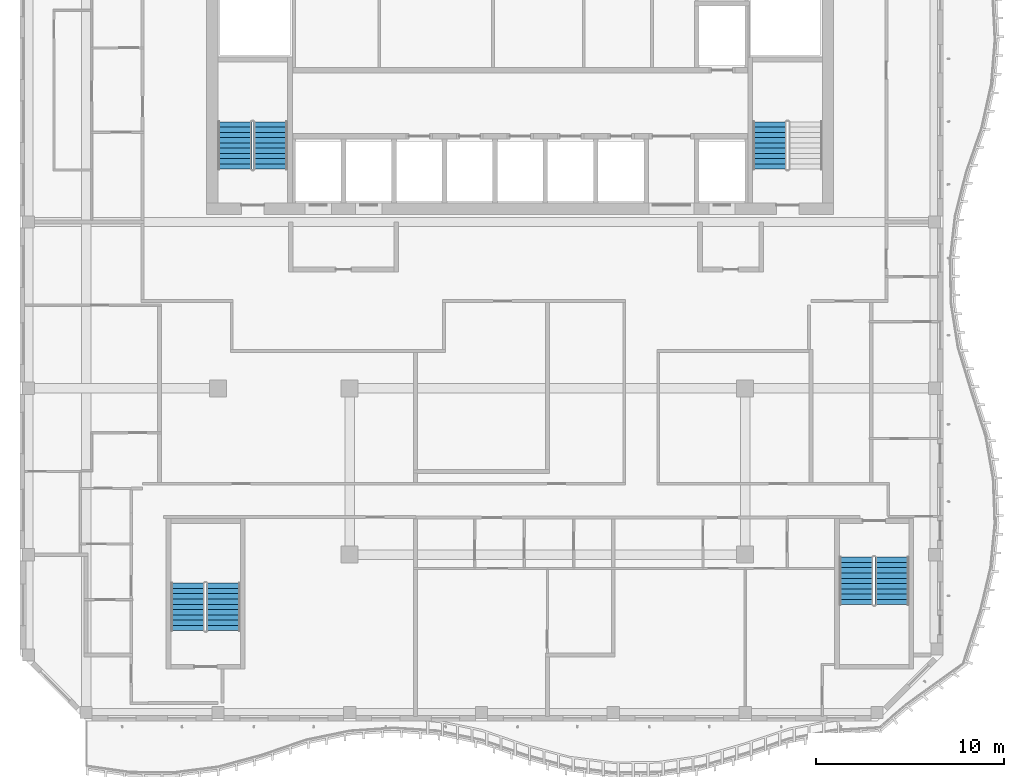
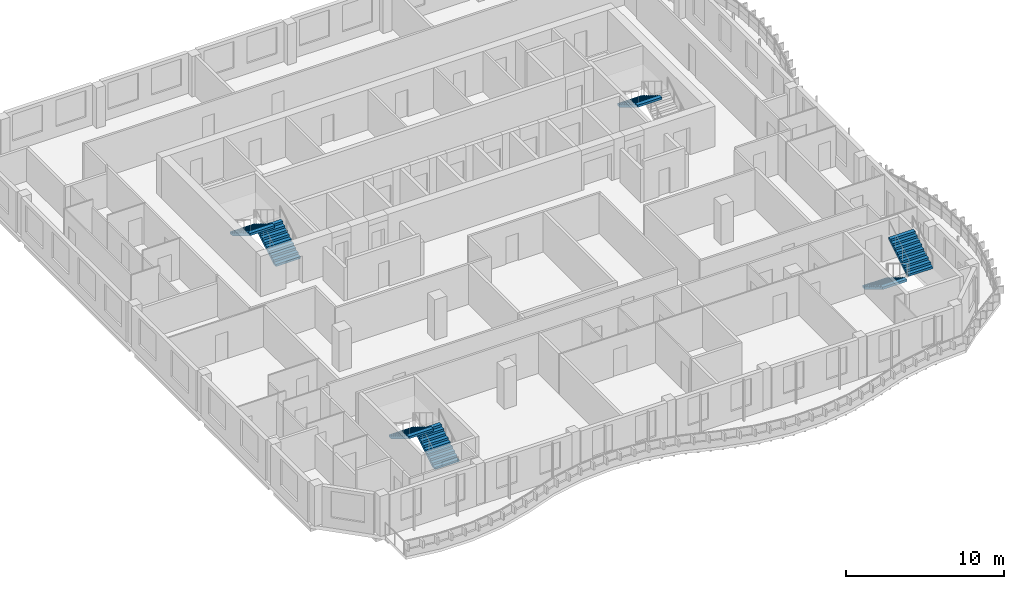
# One storey, part 10 of 17: 7 stair flights, 4 elements without a shape of their own.
"""IFC4 building model written with IfcOpenShell, lengths in metres."""

from ifc_helpers import new_model, si_unit, direction, frame, origin, place, context, subcontext, project, spatial, triangles, source, transform, mapped, material, type_object, element, aggregate, save


model = new_model("IFC4")

# Units and contexts
model_context = context("Model", 3, precision=1e-05, world=origin(), true_north=direction((0.0, 1.0)))
body_context = subcontext(model_context, "Body", "Model", "MODEL_VIEW")
ifc_project = project(units=[si_unit("LENGTHUNIT", "METRE"), si_unit("AREAUNIT", "SQUARE_METRE"), si_unit("VOLUMEUNIT", "CUBIC_METRE"), si_unit("PLANEANGLEUNIT", "RADIAN"), si_unit("MASSUNIT", "GRAM", prefix="KILO")], contexts=[model_context])

# Site, building, storey
site_placement = place(None, origin())
site = spatial("IfcSite", under=ifc_project, at=site_placement, CompositionType="ELEMENT")
building_placement = place(site_placement, origin())
building = spatial("IfcBuilding", under=site, at=building_placement, Name="Kilnfold Tower and Market Hall", CompositionType="ELEMENT")
storey_placement = place(building_placement, frame((0.0, 0.0, 273.800048828125)))
storey = spatial("IfcBuildingStorey", under=building, at=storey_placement, Name="L67", CompositionType="ELEMENT", Elevation=273.800048828125)

# Stair, stair flights
ifc_material_1 = material(Name="Concrete C40/50", Category="concrete")
stair_type = type_object("IfcStairType", Name="CORE STAIR 1800", PredefinedType="HALF_TURN_STAIR", material=ifc_material_1)
stair_1_placement = place(storey_placement, origin())
stair_1 = element("IfcStair", 1, at=stair_1_placement, inside=storey, type_object=stair_type, Name="L67 ST1", PredefinedType="HALF_TURN_STAIR")
ifc_material_2 = material(Name="Concrete C40/50", Category="concrete")
stair_flight_type = type_object("IfcStairFlightType", Name="CORE STAIR FLIGHT 1800", PredefinedType="STRAIGHT", material=ifc_material_2)
shared_shape = source(origin(), body_context, "Body", "Tessellation", [
    triangles([(0.0, 0.89990234375, 0.0), (0.0, 0.78759765625, 0.0), (0.0, 0.675048828125, 0.0), (0.0, 0.5625, 0.0), (0.0, 0.449951171875, 0.0), (0.0, 0.33740234375, 0.0), (0.0, 0.22509765625, 0.0), (0.0, 0.112548828125, 0.0), (0.0, 0.0, 0.0), (0.0, -0.112548828125, 0.0), (0.0, -0.22509765625, 0.0), (0.0, -0.33740234375, 0.0), (0.0, -0.449951171875, 0.0), (0.0, -0.5625, 0.0), (0.0, -0.675048828125, 0.0), (0.0, -0.78759765625, 0.0), (0.0, -0.89990234375, 0.0), (0.0, 0.89990234375, 0.169921875), (0.0, 0.78759765625, 0.169921875), (0.0, 0.675048828125, 0.169921875), (0.0, 0.5625, 0.169921875), (0.0, 0.449951171875, 0.169921875), (0.0, 0.33740234375, 0.169921875), (0.0, 0.22509765625, 0.169921875), (0.0, 0.112548828125, 0.169921875), (0.0, 0.0, 0.169921875), (0.0, -0.112548828125, 0.169921875), (0.0, -0.22509765625, 0.169921875), (0.0, -0.33740234375, 0.169921875), (0.0, -0.449951171875, 0.169921875), (0.0, -0.5625, 0.169921875), (0.0, -0.675048828125, 0.169921875), (0.0, -0.78759765625, 0.169921875), (0.0, -0.89990234375, 0.169921875), (0.280029296875, 0.89990234375, 0.169921875), (0.280029296875, 0.78759765625, 0.169921875), (0.280029296875, 0.675048828125, 0.169921875), (0.280029296875, 0.5625, 0.169921875), (0.280029296875, 0.449951171875, 0.169921875), (0.280029296875, 0.33740234375, 0.169921875), (0.280029296875, 0.22509765625, 0.169921875), (0.280029296875, 0.112548828125, 0.169921875), (0.280029296875, 0.0, 0.169921875), (0.280029296875, -0.112548828125, 0.169921875), (0.280029296875, -0.22509765625, 0.169921875), (0.280029296875, -0.33740234375, 0.169921875), (0.280029296875, -0.449951171875, 0.169921875), (0.280029296875, -0.5625, 0.169921875), (0.280029296875, -0.675048828125, 0.169921875), (0.280029296875, -0.78759765625, 0.169921875), (0.280029296875, -0.89990234375, 0.169921875), (0.280029296875, 0.89990234375, 0.340087890625), (0.280029296875, 0.78759765625, 0.340087890625), (0.280029296875, 0.675048828125, 0.340087890625), (0.280029296875, 0.5625, 0.340087890625), (0.280029296875, 0.449951171875, 0.340087890625), (0.280029296875, 0.33740234375, 0.340087890625), (0.280029296875, 0.22509765625, 0.340087890625), (0.280029296875, 0.112548828125, 0.340087890625), (0.280029296875, 0.0, 0.340087890625), (0.280029296875, -0.112548828125, 0.340087890625), (0.280029296875, -0.22509765625, 0.340087890625), (0.280029296875, -0.33740234375, 0.340087890625), (0.280029296875, -0.449951171875, 0.340087890625), (0.280029296875, -0.5625, 0.340087890625), (0.280029296875, -0.675048828125, 0.340087890625), (0.280029296875, -0.78759765625, 0.340087890625), (0.280029296875, -0.89990234375, 0.340087890625), (0.56005859375, 0.89990234375, 0.340087890625), (0.56005859375, 0.78759765625, 0.340087890625), (0.56005859375, 0.675048828125, 0.340087890625), (0.56005859375, 0.5625, 0.340087890625), (0.56005859375, 0.449951171875, 0.340087890625), (0.56005859375, 0.33740234375, 0.340087890625), (0.56005859375, 0.22509765625, 0.340087890625), (0.56005859375, 0.112548828125, 0.340087890625), (0.56005859375, 0.0, 0.340087890625), (0.56005859375, -0.112548828125, 0.340087890625), (0.56005859375, -0.22509765625, 0.340087890625), (0.56005859375, -0.33740234375, 0.340087890625), (0.56005859375, -0.449951171875, 0.340087890625), (0.56005859375, -0.5625, 0.340087890625), (0.56005859375, -0.675048828125, 0.340087890625), (0.56005859375, -0.78759765625, 0.340087890625), (0.56005859375, -0.89990234375, 0.340087890625), (0.56005859375, 0.89990234375, 0.510009765625), (0.56005859375, 0.78759765625, 0.510009765625), (0.56005859375, 0.675048828125, 0.510009765625), (0.56005859375, 0.5625, 0.510009765625), (0.56005859375, 0.449951171875, 0.510009765625), (0.56005859375, 0.33740234375, 0.510009765625), (0.56005859375, 0.22509765625, 0.510009765625), (0.56005859375, 0.112548828125, 0.510009765625), (0.56005859375, 0.0, 0.510009765625), (0.56005859375, -0.112548828125, 0.510009765625), (0.56005859375, -0.22509765625, 0.510009765625), (0.56005859375, -0.33740234375, 0.510009765625), (0.56005859375, -0.449951171875, 0.510009765625), (0.56005859375, -0.5625, 0.510009765625), (0.56005859375, -0.675048828125, 0.510009765625), (0.56005859375, -0.78759765625, 0.510009765625), (0.56005859375, -0.89990234375, 0.510009765625), (0.840087890625, 0.89990234375, 0.510009765625), (0.840087890625, 0.78759765625, 0.510009765625), (0.840087890625, 0.675048828125, 0.510009765625), (0.840087890625, 0.5625, 0.510009765625), (0.840087890625, 0.449951171875, 0.510009765625), (0.840087890625, 0.33740234375, 0.510009765625), (0.840087890625, 0.22509765625, 0.510009765625), (0.840087890625, 0.112548828125, 0.510009765625), (0.840087890625, 0.0, 0.510009765625), (0.840087890625, -0.112548828125, 0.510009765625), (0.840087890625, -0.22509765625, 0.510009765625), (0.840087890625, -0.33740234375, 0.510009765625), (0.840087890625, -0.449951171875, 0.510009765625), (0.840087890625, -0.5625, 0.510009765625), (0.840087890625, -0.675048828125, 0.510009765625), (0.840087890625, -0.78759765625, 0.510009765625), (0.840087890625, -0.89990234375, 0.510009765625), (0.840087890625, 0.89990234375, 0.679931640625), (0.840087890625, 0.78759765625, 0.679931640625), (0.840087890625, 0.675048828125, 0.679931640625), (0.840087890625, 0.5625, 0.679931640625), (0.840087890625, 0.449951171875, 0.679931640625), (0.840087890625, 0.33740234375, 0.679931640625), (0.840087890625, 0.22509765625, 0.679931640625), (0.840087890625, 0.112548828125, 0.679931640625), (0.840087890625, 0.0, 0.679931640625), (0.840087890625, -0.112548828125, 0.679931640625), (0.840087890625, -0.22509765625, 0.679931640625), (0.840087890625, -0.33740234375, 0.679931640625), (0.840087890625, -0.449951171875, 0.679931640625), (0.840087890625, -0.5625, 0.679931640625), (0.840087890625, -0.675048828125, 0.679931640625), (0.840087890625, -0.78759765625, 0.679931640625), (0.840087890625, -0.89990234375, 0.679931640625), (1.1201171875, 0.89990234375, 0.679931640625), (1.1201171875, 0.78759765625, 0.679931640625), (1.1201171875, 0.675048828125, 0.679931640625), (1.1201171875, 0.5625, 0.679931640625), (1.1201171875, 0.449951171875, 0.679931640625), (1.1201171875, 0.33740234375, 0.679931640625), (1.1201171875, 0.22509765625, 0.679931640625), (1.1201171875, 0.112548828125, 0.679931640625), (1.1201171875, 0.0, 0.679931640625), (1.1201171875, -0.112548828125, 0.679931640625), (1.1201171875, -0.22509765625, 0.679931640625), (1.1201171875, -0.33740234375, 0.679931640625), (1.1201171875, -0.449951171875, 0.679931640625), (1.1201171875, -0.5625, 0.679931640625), (1.1201171875, -0.675048828125, 0.679931640625), (1.1201171875, -0.78759765625, 0.679931640625), (1.1201171875, -0.89990234375, 0.679931640625), (1.1201171875, 0.89990234375, 0.85009765625), (1.1201171875, 0.78759765625, 0.85009765625), (1.1201171875, 0.675048828125, 0.85009765625), (1.1201171875, 0.5625, 0.85009765625), (1.1201171875, 0.449951171875, 0.85009765625), (1.1201171875, 0.33740234375, 0.85009765625), (1.1201171875, 0.22509765625, 0.85009765625), (1.1201171875, 0.112548828125, 0.85009765625), (1.1201171875, 0.0, 0.85009765625), (1.1201171875, -0.112548828125, 0.85009765625), (1.1201171875, -0.22509765625, 0.85009765625), (1.1201171875, -0.33740234375, 0.85009765625), (1.1201171875, -0.449951171875, 0.85009765625), (1.1201171875, -0.5625, 0.85009765625), (1.1201171875, -0.675048828125, 0.85009765625), (1.1201171875, -0.78759765625, 0.85009765625), (1.1201171875, -0.89990234375, 0.85009765625), (1.39990234375, 0.89990234375, 0.85009765625), (1.39990234375, 0.78759765625, 0.85009765625), (1.39990234375, 0.675048828125, 0.85009765625), (1.39990234375, 0.5625, 0.85009765625), (1.39990234375, 0.449951171875, 0.85009765625), (1.39990234375, 0.33740234375, 0.85009765625), (1.39990234375, 0.22509765625, 0.85009765625), (1.39990234375, 0.112548828125, 0.85009765625), (1.39990234375, 0.0, 0.85009765625), (1.39990234375, -0.112548828125, 0.85009765625), (1.39990234375, -0.22509765625, 0.85009765625), (1.39990234375, -0.33740234375, 0.85009765625), (1.39990234375, -0.449951171875, 0.85009765625), (1.39990234375, -0.5625, 0.85009765625), (1.39990234375, -0.675048828125, 0.85009765625), (1.39990234375, -0.78759765625, 0.85009765625), (1.39990234375, -0.89990234375, 0.85009765625), (1.39990234375, 0.89990234375, 1.02001953125), (1.39990234375, 0.78759765625, 1.02001953125), (1.39990234375, 0.675048828125, 1.02001953125), (1.39990234375, 0.5625, 1.02001953125), (1.39990234375, 0.449951171875, 1.02001953125), (1.39990234375, 0.33740234375, 1.02001953125), (1.39990234375, 0.22509765625, 1.02001953125), (1.39990234375, 0.112548828125, 1.02001953125), (1.39990234375, 0.0, 1.02001953125), (1.39990234375, -0.112548828125, 1.02001953125), (1.39990234375, -0.22509765625, 1.02001953125), (1.39990234375, -0.33740234375, 1.02001953125), (1.39990234375, -0.449951171875, 1.02001953125), (1.39990234375, -0.5625, 1.02001953125), (1.39990234375, -0.675048828125, 1.02001953125), (1.39990234375, -0.78759765625, 1.02001953125), (1.39990234375, -0.89990234375, 1.02001953125), (1.679931640625, 0.89990234375, 1.02001953125), (1.679931640625, 0.78759765625, 1.02001953125), (1.679931640625, 0.675048828125, 1.02001953125), (1.679931640625, 0.5625, 1.02001953125), (1.679931640625, 0.449951171875, 1.02001953125), (1.679931640625, 0.33740234375, 1.02001953125), (1.679931640625, 0.22509765625, 1.02001953125), (1.679931640625, 0.112548828125, 1.02001953125), (1.679931640625, 0.0, 1.02001953125), (1.679931640625, -0.112548828125, 1.02001953125), (1.679931640625, -0.22509765625, 1.02001953125), (1.679931640625, -0.33740234375, 1.02001953125), (1.679931640625, -0.449951171875, 1.02001953125), (1.679931640625, -0.5625, 1.02001953125), (1.679931640625, -0.675048828125, 1.02001953125), (1.679931640625, -0.78759765625, 1.02001953125), (1.679931640625, -0.89990234375, 1.02001953125), (1.679931640625, 0.89990234375, 1.18994140625), (1.679931640625, 0.78759765625, 1.18994140625), (1.679931640625, 0.675048828125, 1.18994140625), (1.679931640625, 0.5625, 1.18994140625), (1.679931640625, 0.449951171875, 1.18994140625), (1.679931640625, 0.33740234375, 1.18994140625), (1.679931640625, 0.22509765625, 1.18994140625), (1.679931640625, 0.112548828125, 1.18994140625), (1.679931640625, 0.0, 1.18994140625), (1.679931640625, -0.112548828125, 1.18994140625), (1.679931640625, -0.22509765625, 1.18994140625), (1.679931640625, -0.33740234375, 1.18994140625), (1.679931640625, -0.449951171875, 1.18994140625), (1.679931640625, -0.5625, 1.18994140625), (1.679931640625, -0.675048828125, 1.18994140625), (1.679931640625, -0.78759765625, 1.18994140625), (1.679931640625, -0.89990234375, 1.18994140625), (1.9599609375, 0.89990234375, 1.18994140625), (1.9599609375, 0.78759765625, 1.18994140625), (1.9599609375, 0.675048828125, 1.18994140625), (1.9599609375, 0.5625, 1.18994140625), (1.9599609375, 0.449951171875, 1.18994140625), (1.9599609375, 0.33740234375, 1.18994140625), (1.9599609375, 0.22509765625, 1.18994140625), (1.9599609375, 0.112548828125, 1.18994140625), (1.9599609375, 0.0, 1.18994140625), (1.9599609375, -0.112548828125, 1.18994140625), (1.9599609375, -0.22509765625, 1.18994140625), (1.9599609375, -0.33740234375, 1.18994140625), (1.9599609375, -0.449951171875, 1.18994140625), (1.9599609375, -0.5625, 1.18994140625), (1.9599609375, -0.675048828125, 1.18994140625), (1.9599609375, -0.78759765625, 1.18994140625), (1.9599609375, -0.89990234375, 1.18994140625), (1.9599609375, 0.89990234375, 1.360107421875), (1.9599609375, 0.78759765625, 1.360107421875), (1.9599609375, 0.675048828125, 1.360107421875), (1.9599609375, 0.5625, 1.360107421875), (1.9599609375, 0.449951171875, 1.360107421875), (1.9599609375, 0.33740234375, 1.360107421875), (1.9599609375, 0.22509765625, 1.360107421875), (1.9599609375, 0.112548828125, 1.360107421875), (1.9599609375, 0.0, 1.360107421875), (1.9599609375, -0.112548828125, 1.360107421875), (1.9599609375, -0.22509765625, 1.360107421875), (1.9599609375, -0.33740234375, 1.360107421875), (1.9599609375, -0.449951171875, 1.360107421875), (1.9599609375, -0.5625, 1.360107421875), (1.9599609375, -0.675048828125, 1.360107421875), (1.9599609375, -0.78759765625, 1.360107421875), (1.9599609375, -0.89990234375, 1.360107421875), (2.239990234375, 0.89990234375, 1.360107421875), (2.239990234375, 0.78759765625, 1.360107421875), (2.239990234375, 0.675048828125, 1.360107421875), (2.239990234375, 0.5625, 1.360107421875), (2.239990234375, 0.449951171875, 1.360107421875), (2.239990234375, 0.33740234375, 1.360107421875), (2.239990234375, 0.22509765625, 1.360107421875), (2.239990234375, 0.112548828125, 1.360107421875), (2.239990234375, 0.0, 1.360107421875), (2.239990234375, -0.112548828125, 1.360107421875), (2.239990234375, -0.22509765625, 1.360107421875), (2.239990234375, -0.33740234375, 1.360107421875), (2.239990234375, -0.449951171875, 1.360107421875), (2.239990234375, -0.5625, 1.360107421875), (2.239990234375, -0.675048828125, 1.360107421875), (2.239990234375, -0.78759765625, 1.360107421875), (2.239990234375, -0.89990234375, 1.360107421875), (2.239990234375, 0.89990234375, 1.530029296875), (2.239990234375, 0.78759765625, 1.530029296875), (2.239990234375, 0.675048828125, 1.530029296875), (2.239990234375, 0.5625, 1.530029296875), (2.239990234375, 0.449951171875, 1.530029296875), (2.239990234375, 0.33740234375, 1.530029296875), (2.239990234375, 0.22509765625, 1.530029296875), (2.239990234375, 0.112548828125, 1.530029296875), (2.239990234375, 0.0, 1.530029296875), (2.239990234375, -0.112548828125, 1.530029296875), (2.239990234375, -0.22509765625, 1.530029296875), (2.239990234375, -0.33740234375, 1.530029296875), (2.239990234375, -0.449951171875, 1.530029296875), (2.239990234375, -0.5625, 1.530029296875), (2.239990234375, -0.675048828125, 1.530029296875), (2.239990234375, -0.78759765625, 1.530029296875), (2.239990234375, -0.89990234375, 1.530029296875), (2.52001953125, 0.89990234375, 1.530029296875), (2.52001953125, 0.78759765625, 1.530029296875), (2.52001953125, 0.675048828125, 1.530029296875), (2.52001953125, 0.5625, 1.530029296875), (2.52001953125, 0.449951171875, 1.530029296875), (2.52001953125, 0.33740234375, 1.530029296875), (2.52001953125, 0.22509765625, 1.530029296875), (2.52001953125, 0.112548828125, 1.530029296875), (2.52001953125, 0.0, 1.530029296875), (2.52001953125, -0.112548828125, 1.530029296875), (2.52001953125, -0.22509765625, 1.530029296875), (2.52001953125, -0.33740234375, 1.530029296875), (2.52001953125, -0.449951171875, 1.530029296875), (2.52001953125, -0.5625, 1.530029296875), (2.52001953125, -0.675048828125, 1.530029296875), (2.52001953125, -0.78759765625, 1.530029296875), (2.52001953125, -0.89990234375, 1.530029296875), (2.52001953125, 0.89990234375, 1.354736328125), (2.52001953125, 0.78759765625, 1.354736328125), (2.52001953125, 0.675048828125, 1.354736328125), (2.52001953125, 0.5625, 1.354736328125), (2.52001953125, 0.449951171875, 1.354736328125), (2.52001953125, 0.33740234375, 1.354736328125), (2.52001953125, 0.22509765625, 1.354736328125), (2.52001953125, 0.112548828125, 1.354736328125), (2.52001953125, 0.0, 1.354736328125), (2.52001953125, -0.112548828125, 1.354736328125), (2.52001953125, -0.22509765625, 1.354736328125), (2.52001953125, -0.33740234375, 1.354736328125), (2.52001953125, -0.449951171875, 1.354736328125), (2.52001953125, -0.5625, 1.354736328125), (2.52001953125, -0.675048828125, 1.354736328125), (2.52001953125, -0.78759765625, 1.354736328125), (2.52001953125, -0.89990234375, 1.354736328125), (0.288818359375, 0.89990234375, 0.0), (0.288818359375, 0.78759765625, 0.0), (0.288818359375, 0.675048828125, 0.0), (0.288818359375, 0.5625, 0.0), (0.288818359375, 0.449951171875, 0.0), (0.288818359375, 0.33740234375, 0.0), (0.288818359375, 0.22509765625, 0.0), (0.288818359375, 0.112548828125, 0.0), (0.288818359375, 0.0, 0.0), (0.288818359375, -0.112548828125, 0.0), (0.288818359375, -0.22509765625, 0.0), (0.288818359375, -0.33740234375, 0.0), (0.288818359375, -0.449951171875, 0.0), (0.288818359375, -0.5625, 0.0), (0.288818359375, -0.675048828125, 0.0), (0.288818359375, -0.78759765625, 0.0), (0.288818359375, -0.89990234375, 0.0)], [[1, 324, 341], [17, 357, 340], [324, 290, 307], [340, 323, 306], [324, 273, 290], [340, 306, 289], [324, 256, 273], [340, 289, 272], [324, 239, 256], [340, 272, 255], [239, 205, 222], [255, 238, 221], [324, 205, 239], [340, 255, 221], [205, 171, 188], [221, 204, 187], [324, 171, 205], [340, 221, 187], [171, 137, 154], [187, 170, 153], [324, 137, 171], [340, 187, 153], [137, 103, 120], [153, 136, 119], [324, 103, 137], [340, 153, 119], [103, 69, 86], [119, 102, 85], [324, 69, 103], [340, 119, 85], [69, 35, 52], [85, 68, 51], [324, 35, 69], [340, 85, 51], [1, 35, 324], [17, 340, 51], [35, 1, 18], [51, 34, 17], [1, 19, 18], [1, 2, 19], [2, 20, 19], [2, 3, 20], [3, 21, 20], [3, 4, 21], [4, 22, 21], [4, 5, 22], [5, 23, 22], [5, 6, 23], [6, 24, 23], [6, 7, 24], [7, 25, 24], [7, 8, 25], [8, 26, 25], [8, 9, 26], [9, 27, 26], [9, 10, 27], [10, 28, 27], [10, 11, 28], [11, 29, 28], [11, 12, 29], [12, 30, 29], [12, 13, 30], [13, 31, 30], [13, 14, 31], [14, 32, 31], [14, 15, 32], [15, 33, 32], [15, 16, 33], [16, 34, 33], [16, 17, 34], [18, 36, 35], [18, 19, 36], [19, 37, 36], [19, 20, 37], [20, 38, 37], [20, 21, 38], [21, 39, 38], [21, 22, 39], [22, 40, 39], [22, 23, 40], [23, 41, 40], [23, 24, 41], [24, 42, 41], [24, 25, 42], [25, 43, 42], [25, 26, 43], [26, 44, 43], [26, 27, 44], [27, 45, 44], [27, 28, 45], [28, 46, 45], [28, 29, 46], [29, 47, 46], [29, 30, 47], [30, 48, 47], [30, 31, 48], [31, 49, 48], [31, 32, 49], [32, 50, 49], [32, 33, 50], [33, 51, 50], [33, 34, 51], [35, 53, 52], [35, 36, 53], [36, 54, 53], [36, 37, 54], [37, 55, 54], [37, 38, 55], [38, 56, 55], [38, 39, 56], [39, 57, 56], [39, 40, 57], [40, 58, 57], [40, 41, 58], [41, 59, 58], [41, 42, 59], [42, 60, 59], [42, 43, 60], [43, 61, 60], [43, 44, 61], [44, 62, 61], [44, 45, 62], [45, 63, 62], [45, 46, 63], [46, 64, 63], [46, 47, 64], [47, 65, 64], [47, 48, 65], [48, 66, 65], [48, 49, 66], [49, 67, 66], [49, 50, 67], [50, 68, 67], [50, 51, 68], [52, 70, 69], [52, 53, 70], [53, 71, 70], [53, 54, 71], [54, 72, 71], [54, 55, 72], [55, 73, 72], [55, 56, 73], [56, 74, 73], [56, 57, 74], [57, 75, 74], [57, 58, 75], [58, 76, 75], [58, 59, 76], [59, 77, 76], [59, 60, 77], [60, 78, 77], [60, 61, 78], [61, 79, 78], [61, 62, 79], [62, 80, 79], [62, 63, 80], [63, 81, 80], [63, 64, 81], [64, 82, 81], [64, 65, 82], [65, 83, 82], [65, 66, 83], [66, 84, 83], [66, 67, 84], [67, 85, 84], [67, 68, 85], [69, 87, 86], [69, 70, 87], [70, 88, 87], [70, 71, 88], [71, 89, 88], [71, 72, 89], [72, 90, 89], [72, 73, 90], [73, 91, 90], [73, 74, 91], [74, 92, 91], [74, 75, 92], [75, 93, 92], [75, 76, 93], [76, 94, 93], [76, 77, 94], [77, 95, 94], [77, 78, 95], [78, 96, 95], [78, 79, 96], [79, 97, 96], [79, 80, 97], [80, 98, 97], [80, 81, 98], [81, 99, 98], [81, 82, 99], [82, 100, 99], [82, 83, 100], [83, 101, 100], [83, 84, 101], [84, 102, 101], [84, 85, 102], [86, 104, 103], [86, 87, 104], [87, 105, 104], [87, 88, 105], [88, 106, 105], [88, 89, 106], [89, 107, 106], [89, 90, 107], [90, 108, 107], [90, 91, 108], [91, 109, 108], [91, 92, 109], [92, 110, 109], [92, 93, 110], [93, 111, 110], [93, 94, 111], [94, 112, 111], [94, 95, 112], [95, 113, 112], [95, 96, 113], [96, 114, 113], [96, 97, 114], [97, 115, 114], [97, 98, 115], [98, 116, 115], [98, 99, 116], [99, 117, 116], [99, 100, 117], [100, 118, 117], [100, 101, 118], [101, 119, 118], [101, 102, 119], [103, 121, 120], [103, 104, 121], [104, 122, 121], [104, 105, 122], [105, 123, 122], [105, 106, 123], [106, 124, 123], [106, 107, 124], [107, 125, 124], [107, 108, 125], [108, 126, 125], [108, 109, 126], [109, 127, 126], [109, 110, 127], [110, 128, 127], [110, 111, 128], [111, 129, 128], [111, 112, 129], [112, 130, 129], [112, 113, 130], [113, 131, 130], [113, 114, 131], [114, 132, 131], [114, 115, 132], [115, 133, 132], [115, 116, 133], [116, 134, 133], [116, 117, 134], [117, 135, 134], [117, 118, 135], [118, 136, 135], [118, 119, 136], [120, 138, 137], [120, 121, 138], [121, 139, 138], [121, 122, 139], [122, 140, 139], [122, 123, 140], [123, 141, 140], [123, 124, 141], [124, 142, 141], [124, 125, 142], [125, 143, 142], [125, 126, 143], [126, 144, 143], [126, 127, 144], [127, 145, 144], [127, 128, 145], [128, 146, 145], [128, 129, 146], [129, 147, 146], [129, 130, 147], [130, 148, 147], [130, 131, 148], [131, 149, 148], [131, 132, 149], [132, 150, 149], [132, 133, 150], [133, 151, 150], [133, 134, 151], [134, 152, 151], [134, 135, 152], [135, 153, 152], [135, 136, 153], [137, 155, 154], [137, 138, 155], [138, 156, 155], [138, 139, 156], [139, 157, 156], [139, 140, 157], [140, 158, 157], [140, 141, 158], [141, 159, 158], [141, 142, 159], [142, 160, 159], [142, 143, 160], [143, 161, 160], [143, 144, 161], [144, 162, 161], [144, 145, 162], [145, 163, 162], [145, 146, 163], [146, 164, 163], [146, 147, 164], [147, 165, 164], [147, 148, 165], [148, 166, 165], [148, 149, 166], [149, 167, 166], [149, 150, 167], [150, 168, 167], [150, 151, 168], [151, 169, 168], [151, 152, 169], [152, 170, 169], [152, 153, 170], [154, 172, 171], [154, 155, 172], [155, 173, 172], [155, 156, 173], [156, 174, 173], [156, 157, 174], [157, 175, 174], [157, 158, 175], [158, 176, 175], [158, 159, 176], [159, 177, 176], [159, 160, 177], [160, 178, 177], [160, 161, 178], [161, 179, 178], [161, 162, 179], [162, 180, 179], [162, 163, 180], [163, 181, 180], [163, 164, 181], [164, 182, 181], [164, 165, 182], [165, 183, 182], [165, 166, 183], [166, 184, 183], [166, 167, 184], [167, 185, 184], [167, 168, 185], [168, 186, 185], [168, 169, 186], [169, 187, 186], [169, 170, 187], [171, 189, 188], [171, 172, 189], [172, 190, 189], [172, 173, 190], [173, 191, 190], [173, 174, 191], [174, 192, 191], [174, 175, 192], [175, 193, 192], [175, 176, 193], [176, 194, 193], [176, 177, 194], [177, 195, 194], [177, 178, 195], [178, 196, 195], [178, 179, 196], [179, 197, 196], [179, 180, 197], [180, 198, 197], [180, 181, 198], [181, 199, 198], [181, 182, 199], [182, 200, 199], [182, 183, 200], [183, 201, 200], [183, 184, 201], [184, 202, 201], [184, 185, 202], [185, 203, 202], [185, 186, 203], [186, 204, 203], [186, 187, 204], [188, 206, 205], [188, 189, 206], [189, 207, 206], [189, 190, 207], [190, 208, 207], [190, 191, 208], [191, 209, 208], [191, 192, 209], [192, 210, 209], [192, 193, 210], [193, 211, 210], [193, 194, 211], [194, 212, 211], [194, 195, 212], [195, 213, 212], [195, 196, 213], [196, 214, 213], [196, 197, 214], [197, 215, 214], [197, 198, 215], [198, 216, 215], [198, 199, 216], [199, 217, 216], [199, 200, 217], [200, 218, 217], [200, 201, 218], [201, 219, 218], [201, 202, 219], [202, 220, 219], [202, 203, 220], [203, 221, 220], [203, 204, 221], [205, 223, 222], [205, 206, 223], [206, 224, 223], [206, 207, 224], [207, 225, 224], [207, 208, 225], [208, 226, 225], [208, 209, 226], [209, 227, 226], [209, 210, 227], [210, 228, 227], [210, 211, 228], [211, 229, 228], [211, 212, 229], [212, 230, 229], [212, 213, 230], [213, 231, 230], [213, 214, 231], [214, 232, 231], [214, 215, 232], [215, 233, 232], [215, 216, 233], [216, 234, 233], [216, 217, 234], [217, 235, 234], [217, 218, 235], [218, 236, 235], [218, 219, 236], [219, 237, 236], [219, 220, 237], [220, 238, 237], [220, 221, 238], [222, 240, 239], [222, 223, 240], [223, 241, 240], [223, 224, 241], [224, 242, 241], [224, 225, 242], [225, 243, 242], [225, 226, 243], [226, 244, 243], [226, 227, 244], [227, 245, 244], [227, 228, 245], [228, 246, 245], [228, 229, 246], [229, 247, 246], [229, 230, 247], [230, 248, 247], [230, 231, 248], [231, 249, 248], [231, 232, 249], [232, 250, 249], [232, 233, 250], [233, 251, 250], [233, 234, 251], [234, 252, 251], [234, 235, 252], [235, 253, 252], [235, 236, 253], [236, 254, 253], [236, 237, 254], [237, 255, 254], [237, 238, 255], [239, 257, 256], [239, 240, 257], [240, 258, 257], [240, 241, 258], [241, 259, 258], [241, 242, 259], [242, 260, 259], [242, 243, 260], [243, 261, 260], [243, 244, 261], [244, 262, 261], [244, 245, 262], [245, 263, 262], [245, 246, 263], [246, 264, 263], [246, 247, 264], [247, 265, 264], [247, 248, 265], [248, 266, 265], [248, 249, 266], [249, 267, 266], [249, 250, 267], [250, 268, 267], [250, 251, 268], [251, 269, 268], [251, 252, 269], [252, 270, 269], [252, 253, 270], [253, 271, 270], [253, 254, 271], [254, 272, 271], [254, 255, 272], [256, 274, 273], [256, 257, 274], [257, 275, 274], [257, 258, 275], [258, 276, 275], [258, 259, 276], [259, 277, 276], [259, 260, 277], [260, 278, 277], [260, 261, 278], [261, 279, 278], [261, 262, 279], [262, 280, 279], [262, 263, 280], [263, 281, 280], [263, 264, 281], [264, 282, 281], [264, 265, 282], [265, 283, 282], [265, 266, 283], [266, 284, 283], [266, 267, 284], [267, 285, 284], [267, 268, 285], [268, 286, 285], [268, 269, 286], [269, 287, 286], [269, 270, 287], [270, 288, 287], [270, 271, 288], [271, 289, 288], [271, 272, 289], [273, 291, 290], [273, 274, 291], [274, 292, 291], [274, 275, 292], [275, 293, 292], [275, 276, 293], [276, 294, 293], [276, 277, 294], [277, 295, 294], [277, 278, 295], [278, 296, 295], [278, 279, 296], [279, 297, 296], [279, 280, 297], [280, 298, 297], [280, 281, 298], [281, 299, 298], [281, 282, 299], [282, 300, 299], [282, 283, 300], [283, 301, 300], [283, 284, 301], [284, 302, 301], [284, 285, 302], [285, 303, 302], [285, 286, 303], [286, 304, 303], [286, 287, 304], [287, 305, 304], [287, 288, 305], [288, 306, 305], [288, 289, 306], [290, 308, 307], [290, 291, 308], [291, 309, 308], [291, 292, 309], [292, 310, 309], [292, 293, 310], [293, 311, 310], [293, 294, 311], [294, 312, 311], [294, 295, 312], [295, 313, 312], [295, 296, 313], [296, 314, 313], [296, 297, 314], [297, 315, 314], [297, 298, 315], [298, 316, 315], [298, 299, 316], [299, 317, 316], [299, 300, 317], [300, 318, 317], [300, 301, 318], [301, 319, 318], [301, 302, 319], [302, 320, 319], [302, 303, 320], [303, 321, 320], [303, 304, 321], [304, 322, 321], [304, 305, 322], [305, 323, 322], [305, 306, 323], [307, 325, 324], [307, 308, 325], [308, 326, 325], [308, 309, 326], [309, 327, 326], [309, 310, 327], [310, 328, 327], [310, 311, 328], [311, 329, 328], [311, 312, 329], [312, 330, 329], [312, 313, 330], [313, 331, 330], [313, 314, 331], [314, 332, 331], [314, 315, 332], [315, 333, 332], [315, 316, 333], [316, 334, 333], [316, 317, 334], [317, 335, 334], [317, 318, 335], [318, 336, 335], [318, 319, 336], [319, 337, 336], [319, 320, 337], [320, 338, 337], [320, 321, 338], [321, 339, 338], [321, 322, 339], [322, 340, 339], [322, 323, 340], [324, 342, 341], [324, 325, 342], [325, 343, 342], [325, 326, 343], [326, 344, 343], [326, 327, 344], [327, 345, 344], [327, 328, 345], [328, 346, 345], [328, 329, 346], [329, 347, 346], [329, 330, 347], [330, 348, 347], [330, 331, 348], [331, 349, 348], [331, 332, 349], [332, 350, 349], [332, 333, 350], [333, 351, 350], [333, 334, 351], [334, 352, 351], [334, 335, 352], [335, 353, 352], [335, 336, 353], [336, 354, 353], [336, 337, 354], [337, 355, 354], [337, 338, 355], [338, 356, 355], [338, 339, 356], [339, 357, 356], [339, 340, 357], [341, 2, 1], [341, 342, 2], [342, 3, 2], [342, 343, 3], [343, 4, 3], [343, 344, 4], [344, 5, 4], [344, 345, 5], [345, 6, 5], [345, 346, 6], [346, 7, 6], [346, 347, 7], [347, 8, 7], [347, 348, 8], [348, 9, 8], [348, 349, 9], [349, 10, 9], [349, 350, 10], [350, 11, 10], [350, 351, 11], [351, 12, 11], [351, 352, 12], [352, 13, 12], [352, 353, 13], [353, 14, 13], [353, 354, 14], [354, 15, 14], [354, 355, 15], [355, 16, 15], [355, 356, 16], [356, 17, 16], [356, 357, 17]], closed=True),
])
stair_flight_1_placement = place(storey_placement, frame((-12.199951171875, 10.800048828125, 0.0), z_axis=(0.0, 0.0, 1.0), x_axis=(0.0, 1.0, 0.0)))
stair_flight_1 = element("IfcStairFlight", 2, at=stair_flight_1_placement, type_object=stair_flight_type, Name="ST1 flight 1", NumberOfRisers=10, NumberOfTreads=9, PredefinedType="STRAIGHT", RiserHeight=0.17, TreadLength=0.28, context=body_context, shape_type="MappedRepresentation", body=[
    mapped(shared_shape, transform((0.0, 0.0, 0.0))),
])
stair_flight_2_placement = place(storey_placement, frame((-14.10009765625, 13.320068359375, 1.699951171875), z_axis=(0.0, 0.0, 1.0), x_axis=(0.0, -1.0, 0.0)))
stair_flight_2 = element("IfcStairFlight", 3, at=stair_flight_2_placement, type_object=stair_flight_type, Name="ST1 flight 2", NumberOfRisers=10, NumberOfTreads=9, PredefinedType="STRAIGHT", RiserHeight=0.17, TreadLength=0.28, context=body_context, shape_type="MappedRepresentation", body=[
    mapped(shared_shape, transform((0.0, 0.0, 0.0))),
])
aggregate(stair_1, [stair_flight_1, stair_flight_2])

# Stair, stair flight
stair_2_placement = place(storey_placement, origin())
stair_2 = element("IfcStair", 4, at=stair_2_placement, inside=storey, type_object=stair_type, Name="L67 ST2", PredefinedType="HALF_TURN_STAIR")
stair_flight_3_placement = place(storey_placement, frame((14.300048828125, 13.320068359375, 1.699951171875), z_axis=(0.0, 0.0, 1.0), x_axis=(0.0, -1.0, 0.0)))
stair_flight_3 = element("IfcStairFlight", 5, at=stair_flight_3_placement, type_object=stair_flight_type, Name="ST2 flight 2", NumberOfRisers=10, NumberOfTreads=9, PredefinedType="STRAIGHT", RiserHeight=0.17, TreadLength=0.28, context=body_context, shape_type="MappedRepresentation", body=[
    mapped(shared_shape, transform((0.0, 0.0, 0.0))),
])
aggregate(stair_2, [stair_flight_3])

# Stair, stair flights
stair_3_placement = place(storey_placement, origin())
stair_3 = element("IfcStair", 6, at=stair_3_placement, inside=storey, type_object=stair_type, Name="L67 ST3", PredefinedType="HALF_TURN_STAIR")
stair_flight_4_placement = place(storey_placement, frame((-14.699951171875, -13.699951171875, 0.0), z_axis=(0.0, 0.0, 1.0), x_axis=(0.0, 1.0, 0.0)))
stair_flight_4 = element("IfcStairFlight", 7, at=stair_flight_4_placement, type_object=stair_flight_type, Name="ST3 flight 1", NumberOfRisers=10, NumberOfTreads=9, PredefinedType="STRAIGHT", RiserHeight=0.17, TreadLength=0.28, context=body_context, shape_type="MappedRepresentation", body=[
    mapped(shared_shape, transform((0.0, 0.0, 0.0))),
])
stair_flight_5_placement = place(storey_placement, frame((-16.60009765625, -11.179931640625, 1.699951171875), z_axis=(0.0, 0.0, 1.0), x_axis=(0.0, -1.0, 0.0)))
stair_flight_5 = element("IfcStairFlight", 8, at=stair_flight_5_placement, type_object=stair_flight_type, Name="ST3 flight 2", NumberOfRisers=10, NumberOfTreads=9, PredefinedType="STRAIGHT", RiserHeight=0.17, TreadLength=0.28, context=body_context, shape_type="MappedRepresentation", body=[
    mapped(shared_shape, transform((0.0, 0.0, 0.0))),
])
aggregate(stair_3, [stair_flight_4, stair_flight_5])

stair_4_placement = place(storey_placement, origin())
stair_4 = element("IfcStair", 9, at=stair_4_placement, inside=storey, type_object=stair_type, Name="L67 ST4", PredefinedType="HALF_TURN_STAIR")
stair_flight_6_placement = place(storey_placement, frame((18.89990234375, -9.800048828125, 0.0), z_axis=(0.0, 0.0, 1.0), x_axis=(0.0, -1.0, 0.0)))
stair_flight_6 = element("IfcStairFlight", 10, at=stair_flight_6_placement, type_object=stair_flight_type, Name="ST4 flight 1", NumberOfRisers=10, NumberOfTreads=9, PredefinedType="STRAIGHT", RiserHeight=0.17, TreadLength=0.28, context=body_context, shape_type="MappedRepresentation", body=[
    mapped(shared_shape, transform((0.0, 0.0, 0.0))),
])
stair_flight_7_placement = place(storey_placement, frame((20.800048828125, -12.320068359375, 1.699951171875), z_axis=(0.0, 0.0, 1.0), x_axis=(0.0, 1.0, 0.0)))
stair_flight_7 = element("IfcStairFlight", 11, at=stair_flight_7_placement, type_object=stair_flight_type, Name="ST4 flight 2", NumberOfRisers=10, NumberOfTreads=9, PredefinedType="STRAIGHT", RiserHeight=0.17, TreadLength=0.28, context=body_context, shape_type="MappedRepresentation", body=[
    mapped(shared_shape, transform((0.0, 0.0, 0.0))),
])
aggregate(stair_4, [stair_flight_6, stair_flight_7])

save(model, "model.ifc")
